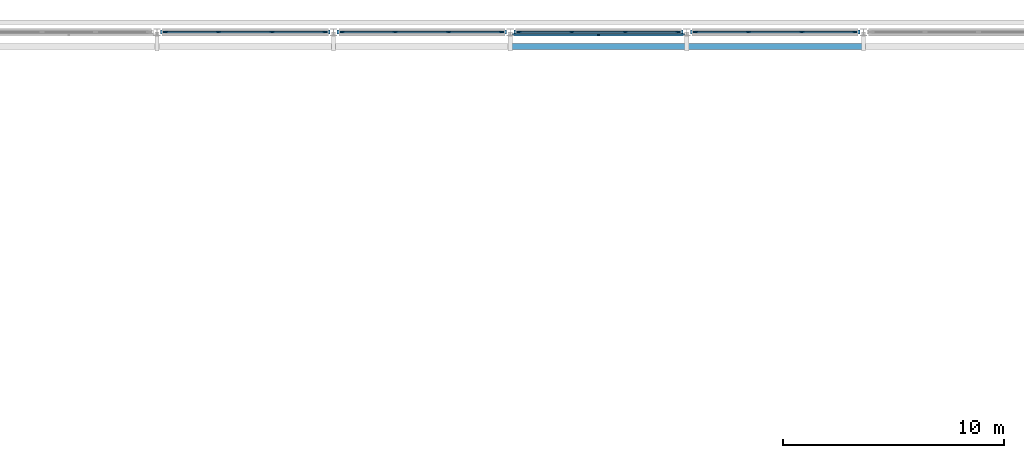
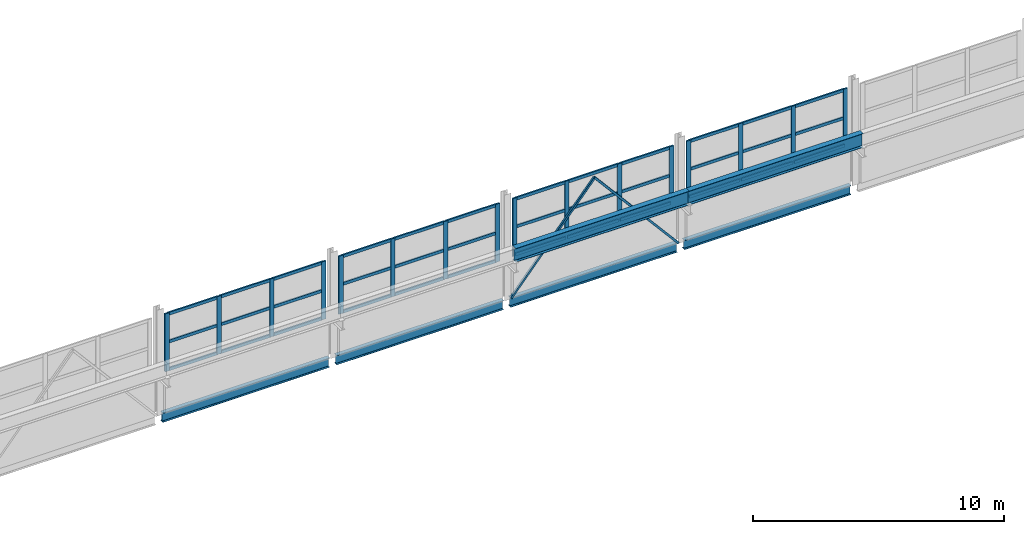
# One storey, part 66 of 106: 54 members, 6 beams, 4 elements without a shape of their own.
"""IFC4 building model written with IfcOpenShell, lengths in metres."""

import ifcopenshell
import ifcopenshell.guid

model = None  # the IFC model being written
_history = None  # IfcOwnerHistory: only IFC2X3 demands one
_inside = {}  # id of a spatial element -> (the spatial element, [elements in it])
_under = {}  # id of a project, library or spatial element -> (it, [spatial elements below it])
_declared = {}  # id of a project -> (the project, [libraries it declares])
_typed = {}  # id of a type object -> (the type object, [elements of that type])
_made_of = {}  # id of a material, layer set ... -> (it, [elements and type objects made of it])


def new_model(schema):
    """Start an empty IFC model of exactly this schema.

    Asked for "IFC4X3", IfcOpenShell would pick the latest addendum, in which some entities
    have other attributes; the version numbers below select the first issue.
    IFC2X3 requires an IfcOwnerHistory on every rooted entity: one is made here for all.
    """
    global model, _history
    if schema == "IFC4X3":
        model = ifcopenshell.file(schema_version=(4, 3, 0, 0))
    else:
        model = ifcopenshell.file(schema=schema)
    _inside.clear()
    _under.clear()
    _declared.clear()
    _typed.clear()
    _made_of.clear()
    _history = None
    if model.schema == "IFC2X3":
        org = make("IfcOrganization", Name="unknown")
        user = make(
            "IfcPersonAndOrganization",
            ThePerson=make("IfcPerson", FamilyName="unknown"),
            TheOrganization=org,
        )
        app = make(
            "IfcApplication",
            ApplicationDeveloper=org,
            Version="unknown",
            ApplicationFullName="unknown",
            ApplicationIdentifier="unknown",
        )
        _history = make(
            "IfcOwnerHistory",
            OwningUser=user,
            OwningApplication=app,
            ChangeAction="ADDED",
            CreationDate=0,
        )
    return model


def make(cls, **values):
    """One entity of the class cls with the attributes given. An attribute that is None is left unset."""
    return model.create_entity(
        cls, **{name: value for name, value in values.items() if value is not None}
    )


def rooted(cls, **values):
    """An entity with a GlobalId (a new one), such as an element, a storey or a relation."""
    return make(cls, GlobalId=ifcopenshell.guid.new(), OwnerHistory=_history, **values)


def si_unit(unit_type, name, prefix=None):
    """IfcSIUnit, for example si_unit("LENGTHUNIT", "METRE", prefix="MILLI")."""
    return make("IfcSIUnit", UnitType=unit_type, Prefix=prefix, Name=name)


def assignment(units):
    """IfcUnitAssignment: the units of a project."""
    return None if units is None else make("IfcUnitAssignment", Units=units)


def point(xyz):
    """IfcCartesianPoint."""
    return None if xyz is None else make("IfcCartesianPoint", Coordinates=xyz)


def direction(xyz):
    """IfcDirection."""
    return None if xyz is None else make("IfcDirection", DirectionRatios=xyz)


def frame(location, z_axis=None, x_axis=None):
    """IfcAxis2Placement3D, a coordinate frame: its origin and axes. An axis left out is left unset."""
    return make(
        "IfcAxis2Placement3D",
        Location=point(location),
        Axis=direction(z_axis),
        RefDirection=direction(x_axis),
    )


def frame_2d(location, x_axis=None):
    """IfcAxis2Placement2D, a coordinate frame in the plane: its origin and x axis."""
    return make(
        "IfcAxis2Placement2D", Location=point(location), RefDirection=direction(x_axis)
    )


def origin():
    """The frame at (0, 0, 0) with its axes left unset."""
    return frame((0.0, 0.0, 0.0))


def origin_2d():
    """The frame at (0, 0) in the plane with its x axis left unset."""
    return frame_2d((0.0, 0.0))


def place(relative_to, where):
    """IfcLocalPlacement: puts the frame where relative to a parent placement (None: the world)."""
    return make(
        "IfcLocalPlacement", PlacementRelTo=relative_to, RelativePlacement=where
    )


def context(
    kind, dimensions, precision=None, world=None, true_north=None, identifier=None
):
    """IfcGeometricRepresentationContext, for example the 3D "Model" context."""
    return make(
        "IfcGeometricRepresentationContext",
        ContextIdentifier=identifier,
        ContextType=kind,
        CoordinateSpaceDimension=dimensions,
        Precision=precision,
        WorldCoordinateSystem=world,
        TrueNorth=true_north,
    )


def subcontext(parent, identifier, kind, view, scale=None):
    """IfcGeometricRepresentationSubContext, for example "Body" below "Model"."""
    return make(
        "IfcGeometricRepresentationSubContext",
        ContextIdentifier=identifier,
        ContextType=kind,
        ParentContext=parent,
        TargetScale=scale,
        TargetView=view,
    )


def project(units=None, contexts=None):
    """IfcProject with its units and contexts."""
    return rooted(
        "IfcProject",
        Name="project",
        RepresentationContexts=contexts,
        UnitsInContext=assignment(units),
    )


def spatial(cls, under=None, at=None, **own):
    """A site, building, storey or space (cls), placed at a placement, below another one or the project."""
    s = rooted(cls, ObjectPlacement=at, **own)
    if under is not None:
        _under.setdefault(under.id(), (under, []))[1].append(s)
    return s


def profile(cls, at=None, kind="AREA", **sizes):
    """A parametric profile (cls). Its sizes go by their IFC names, for example OverallWidth=200.0."""
    return make(cls, ProfileType=kind, Position=at, **sizes)


def rectangle(**sizes):
    """IfcRectangleProfileDef."""
    return profile("IfcRectangleProfileDef", **sizes)


def hollow_rectangle(**sizes):
    """IfcRectangleHollowProfileDef."""
    return profile("IfcRectangleHollowProfileDef", **sizes)


def i_section(**sizes):
    """IfcIShapeProfileDef."""
    return profile("IfcIShapeProfileDef", **sizes)


def extrude(swept, where, along, depth):
    """IfcExtrudedAreaSolid: the profile swept, set in the frame where, extruded along a direction by depth."""
    return make(
        "IfcExtrudedAreaSolid",
        SweptArea=swept,
        Position=where,
        ExtrudedDirection=direction(along),
        Depth=depth,
    )


def shape(context_of_items, identifier, shape_type, items):
    """IfcShapeRepresentation: the items that make up one representation, for example the "Body"."""
    return make(
        "IfcShapeRepresentation",
        ContextOfItems=context_of_items,
        RepresentationIdentifier=identifier,
        RepresentationType=shape_type,
        Items=items,
    )


def material(Name=None, Category=None):
    """IfcMaterial."""
    return make("IfcMaterial", Name=Name, Category=Category)


def layer(
    of_material, thickness, ventilated=None, Name=None, Category=None, Priority=None
):
    """IfcMaterialLayer: one layer of a wall or slab, of a material (None: an air gap)."""
    return make(
        "IfcMaterialLayer",
        Material=of_material,
        LayerThickness=thickness,
        IsVentilated=ventilated,
        Name=Name,
        Category=Category,
        Priority=Priority,
    )


def layer_set(layers, Name=None):
    """IfcMaterialLayerSet."""
    return make("IfcMaterialLayerSet", MaterialLayers=layers, LayerSetName=Name)


def material_profile(
    of_material, cross_section, Name=None, Category=None, Priority=None
):
    """IfcMaterialProfile: a cross section and its material."""
    return make(
        "IfcMaterialProfile",
        Name=Name,
        Material=of_material,
        Profile=cross_section,
        Priority=Priority,
        Category=Category,
    )


def profile_set(profiles, Name=None, composite=None):
    """IfcMaterialProfileSet."""
    return make(
        "IfcMaterialProfileSet",
        Name=Name,
        MaterialProfiles=profiles,
        CompositeProfile=composite,
    )


def made_of(thing, what):
    """Note that an element or type object is made of a material, layer set ...; save() writes the relation."""
    if what is not None:
        _made_of.setdefault(what.id(), (what, []))[1].append(thing)
    return thing


def type_object(cls, material=None, **own):
    """A type object (cls), such as IfcWallType, which elements share."""
    return made_of(rooted(cls, **own), material)


def element(
    cls,
    number,
    at=None,
    inside=None,
    cuts=None,
    type_object=None,
    material=None,
    context=None,
    identifier="Body",
    shape_type=None,
    held_by="IfcProductDefinitionShape",
    body=None,
    shapes=None,
    **own,
):
    """One element of the class cls, such as IfcWall. Its Tag is "e" and its number.

    at: its placement. inside: the storey or other place that contains it. cuts: it is an
    opening in that element (IfcRelVoidsElement). A single representation is given by context,
    identifier, shape_type and body (its items); several are given by shapes. held_by: the class
    of the entity that holds the representations. save() writes the other relations.
    """
    e = rooted(cls, Tag="e%d" % number, ObjectPlacement=at, **own)
    if body is not None:
        shapes = [shape(context, identifier, shape_type, body)]
    if shapes is not None:
        e.Representation = make(held_by, Representations=shapes)
    if inside is not None:
        _inside.setdefault(inside.id(), (inside, []))[1].append(e)
    if cuts is not None:
        rooted(
            "IfcRelVoidsElement", RelatingBuildingElement=cuts, RelatedOpeningElement=e
        )
    if type_object is not None:
        _typed.setdefault(type_object.id(), (type_object, []))[1].append(e)
    return made_of(e, material)


def aggregate(whole, parts):
    """IfcRelAggregates: a whole, such as a stair, and the parts it consists of."""
    return rooted("IfcRelAggregates", RelatingObject=whole, RelatedObjects=parts)


def save(model, path):
    """Write the relations noted so far, then the file.

    IfcRelAggregates (storeys below a building ...), IfcRelContainedInSpatialStructure (elements
    in a storey), IfcRelDefinesByType, IfcRelAssociatesMaterial and IfcRelDeclares: one each for
    every whole, place, type object, material and project.
    """
    for whole, parts in _under.values():
        aggregate(whole, parts)
    for where, things in _inside.values():
        rooted(
            "IfcRelContainedInSpatialStructure",
            RelatedElements=things,
            RelatingStructure=where,
        )
    for kind, things in _typed.values():
        rooted("IfcRelDefinesByType", RelatedObjects=things, RelatingType=kind)
    for what, things in _made_of.values():
        rooted("IfcRelAssociatesMaterial", RelatedObjects=things, RelatingMaterial=what)
    for by, libraries in _declared.values():
        rooted("IfcRelDeclares", RelatingContext=by, RelatedDefinitions=libraries)
    model.write(path)


model = new_model("IFC4")

# Units and contexts
model_context = context("Model", 3, precision=1e-05, world=origin(), true_north=direction((0.0, 1.0)))
body_context = subcontext(model_context, "Body", "Model", "MODEL_VIEW")
ifc_project = project(units=[si_unit("LENGTHUNIT", "METRE"), si_unit("AREAUNIT", "SQUARE_METRE"), si_unit("VOLUMEUNIT", "CUBIC_METRE"), si_unit("PLANEANGLEUNIT", "RADIAN"), si_unit("MASSUNIT", "GRAM", prefix="KILO")], contexts=[model_context])

# Site, building, storey
site_placement = place(None, origin())
site = spatial("IfcSite", under=ifc_project, at=site_placement, CompositionType="ELEMENT")
building_placement = place(site_placement, origin())
building = spatial("IfcBuilding", under=site, at=building_placement, Name="Jelvoka-Kovrelna Polytechnic", CompositionType="ELEMENT")
storey_placement = place(building_placement, frame((0.0, 0.0, 4.800048828125)))
storey = spatial("IfcBuildingStorey", under=building, at=storey_placement, Name="L02", CompositionType="ELEMENT", Elevation=4.800048828125)

# Beams
ifc_material_1 = material(Name="Structural steel S355JR", Category="steel")
ifc_material_profile_1 = material_profile(ifc_material_1, i_section(OverallWidth=0.2529296875, OverallDepth=0.677978515625, WebThickness=0.01171875, FlangeThickness=0.01611328125, FilletRadius=0.01513671875, at=origin_2d()), Name="686x254x125 UB")
ifc_profile_set_1 = profile_set([ifc_material_profile_1], Name="Structural steel S355JR")
beam_type_1 = type_object("IfcBeamType", Name="CraneGirder_UB686", PredefinedType="USERDEFINED", material=ifc_profile_set_1)
for number, where, z_axis, x_axis, name in (
    (1, (152.0, 119.35009765625, 2.538818359375), (1.0, 0.0, 0.0), (0.0, 1.0, 0.0), "L02 workshop crane runway girder 018"),
    (2, (160.0, 119.35009765625, 2.538818359375), (1.0, 0.0, 0.0), (0.0, 1.0, 0.0), "L02 workshop crane runway girder 020"),
):
    element("IfcBeam", number, at=place(storey_placement, frame(where, z_axis=z_axis, x_axis=x_axis)), inside=storey, type_object=beam_type_1, Name=name, ObjectType="CRANE RUNWAY", PredefinedType="USERDEFINED", context=body_context, shape_type="SweptSolid", body=[
        extrude(i_section(OverallWidth=0.2529296875, OverallDepth=0.677978515625, WebThickness=0.01171875, FlangeThickness=0.01611328125, FilletRadius=0.01513671875, at=origin_2d()), origin(), (0.0, 0.0, 1.0), 8.0),
    ])
ifc_material_2 = material(Name="Structural steel S355JR", Category="steel")
ifc_material_profile_2 = material_profile(ifc_material_2, i_section(OverallWidth=0.18994140625, OverallDepth=0.453369140625, WebThickness=0.008544921875, FlangeThickness=0.0126953125, FilletRadius=0.01025390625, at=origin_2d()), Name="457x191x67 UB")
ifc_profile_set_2 = profile_set([ifc_material_profile_2], Name="Structural steel S355JR")
beam_type_2 = type_object("IfcBeamType", Name="Girder_Steel_UB457", PredefinedType="BEAM", material=ifc_profile_set_2)
for number, where, z_axis, x_axis, name in (
    (3, (136.164306640625, 120.0, -0.226806640625), (1.0, 0.0, 0.0), (0.0, 1.0, 0.0), "L02 beam 0035"),
    (4, (144.164306640625, 120.0, -0.226806640625), (1.0, 0.0, 0.0), (0.0, 1.0, 0.0), "L02 beam 0040"),
    (5, (152.164306640625, 120.0, -0.226806640625), (1.0, 0.0, 0.0), (0.0, 1.0, 0.0), "L02 beam 0045"),
    (6, (160.164306640625, 120.0, -0.226806640625), (1.0, 0.0, 0.0), (0.0, 1.0, 0.0), "L02 beam 0050"),
):
    element("IfcBeam", number, at=place(storey_placement, frame(where, z_axis=z_axis, x_axis=x_axis)), inside=storey, type_object=beam_type_2, Name=name, PredefinedType="BEAM", context=body_context, shape_type="SweptSolid", body=[
        extrude(i_section(OverallWidth=0.18994140625, OverallDepth=0.453369140625, WebThickness=0.008544921875, FlangeThickness=0.0126953125, FilletRadius=0.01025390625, at=origin_2d()), origin(), (0.0, 0.0, 1.0), 7.67138671875),
    ])

# Members
ifc_material_3 = material(Name="Structural steel S355J2H", Category="steel")
ifc_material_profile_3 = material_profile(ifc_material_3, hollow_rectangle(XDim=0.10009765625, YDim=0.10009765625, WallThickness=0.00634765625, InnerFilletRadius=0.00634765625, OuterFilletRadius=0.009521484375, at=origin_2d()), Name="100x100x6.3 SHS")
ifc_profile_set_3 = profile_set([ifc_material_profile_3], Name="Structural steel S355J2H")
member_type_1 = type_object("IfcMemberType", Name="Member_Brace_SHS100", PredefinedType="BRACE", material=ifc_profile_set_3)
for number, where, z_axis, x_axis, name in (
    (7, (152.14990234375, 119.8798828125, 0.02001953125), (0.647606697765, 0.0, 0.761974779773), (0.0, 1.0, 0.0), "L02 workshop vertical wall K-brace 0241"),
    (8, (159.85009765625, 119.8798828125, 0.02001953125), (-0.647606697765, 0.0, 0.761974779773), (0.0, -1.0, 0.0), "L02 workshop vertical wall K-brace 0242"),
):
    element("IfcMember", number, at=place(storey_placement, frame(where, z_axis=z_axis, x_axis=x_axis)), inside=storey, type_object=member_type_1, Name=name, PredefinedType="BRACE", context=body_context, shape_type="SweptSolid", body=[
        extrude(hollow_rectangle(XDim=0.10009765625, YDim=0.10009765625, WallThickness=0.00634765625, InnerFilletRadius=0.00634765625, OuterFilletRadius=0.009521484375, at=origin_2d()), origin(), (0.0, 0.0, 1.0), 5.945068359375),
    ])

# Curtain wall, members
ifc_material_4 = material(Name="Anodised aluminium 6063-T6", Category="aluminium")
ifc_layer = layer(ifc_material_4, 0.199951171875)
ifc_layer_set = layer_set([ifc_layer], Name="Anodised aluminium 6063-T6")
curtain_wall_type = type_object("IfcCurtainWallType", Name="CW_Clerestory", PredefinedType="NOTDEFINED", material=ifc_layer_set)
curtain_wall_1_placement = place(storey_placement, origin())
curtain_wall_1 = element("IfcCurtainWall", 9, at=curtain_wall_1_placement, inside=storey, type_object=curtain_wall_type, Name="L02 glazed curtain wall 175", PredefinedType="NOTDEFINED")
ifc_material_5 = material(Name="Anodised aluminium 6063-T6", Category="aluminium")
ifc_material_profile_4 = material_profile(ifc_material_5, rectangle(XDim=0.070068359375, YDim=0.199951171875, at=origin_2d()), Name="ALU 70x200")
ifc_profile_set_4 = profile_set([ifc_material_profile_4], Name="Anodised aluminium 6063-T6")
member_type_2 = type_object("IfcMemberType", Name="Mullion_M-03", PredefinedType="MULLION", material=ifc_profile_set_4)
member_1_placement = place(storey_placement, frame((136.39501953125, 120.0, 1.925048828125), z_axis=(0.0, 0.0, 1.0), x_axis=(0.0, 1.0, 0.0)))
member_1 = element("IfcMember", 10, at=member_1_placement, type_object=member_type_2, Name="CW-03 mullion 1", PredefinedType="MULLION", context=body_context, shape_type="SweptSolid", body=[
    extrude(rectangle(XDim=0.070068359375, YDim=0.199951171875, at=origin_2d()), origin(), (0.0, 0.0, 1.0), 2.820068359375),
])
member_2_placement = place(storey_placement, frame((138.78662109375, 120.0, 1.925048828125), z_axis=(0.0, 0.0, 1.0), x_axis=(0.0, 1.0, 0.0)))
member_2 = element("IfcMember", 11, at=member_2_placement, type_object=member_type_2, Name="CW-03 mullion 2", PredefinedType="MULLION", context=body_context, shape_type="SweptSolid", body=[
    extrude(rectangle(XDim=0.070068359375, YDim=0.199951171875, at=origin_2d()), origin(), (0.0, 0.0, 1.0), 2.820068359375),
])
member_3_placement = place(storey_placement, frame((141.21337890625, 120.0, 1.925048828125), z_axis=(0.0, 0.0, 1.0), x_axis=(0.0, 1.0, 0.0)))
member_3 = element("IfcMember", 12, at=member_3_placement, type_object=member_type_2, Name="CW-03 mullion 3", PredefinedType="MULLION", context=body_context, shape_type="SweptSolid", body=[
    extrude(rectangle(XDim=0.070068359375, YDim=0.199951171875, at=origin_2d()), origin(), (0.0, 0.0, 1.0), 2.820068359375),
])
member_4_placement = place(storey_placement, frame((143.60498046875, 120.0, 1.925048828125), z_axis=(0.0, 0.0, 1.0), x_axis=(0.0, 1.0, 0.0)))
member_4 = element("IfcMember", 13, at=member_4_placement, type_object=member_type_2, Name="CW-03 mullion 4", PredefinedType="MULLION", context=body_context, shape_type="SweptSolid", body=[
    extrude(rectangle(XDim=0.070068359375, YDim=0.199951171875, at=origin_2d()), origin(), (0.0, 0.0, 1.0), 2.820068359375),
])

curtain_wall_2_placement = place(storey_placement, origin())
curtain_wall_2 = element("IfcCurtainWall", 14, at=curtain_wall_2_placement, inside=storey, type_object=curtain_wall_type, Name="L02 glazed curtain wall 176", PredefinedType="NOTDEFINED")
member_5_placement = place(storey_placement, frame((144.39501953125, 120.0, 1.925048828125), z_axis=(0.0, 0.0, 1.0), x_axis=(0.0, 1.0, 0.0)))
member_5 = element("IfcMember", 15, at=member_5_placement, type_object=member_type_2, Name="CW-03 mullion 1", PredefinedType="MULLION", context=body_context, shape_type="SweptSolid", body=[
    extrude(rectangle(XDim=0.070068359375, YDim=0.199951171875, at=origin_2d()), origin(), (0.0, 0.0, 1.0), 2.820068359375),
])
member_6_placement = place(storey_placement, frame((146.78662109375, 120.0, 1.925048828125), z_axis=(0.0, 0.0, 1.0), x_axis=(0.0, 1.0, 0.0)))
member_6 = element("IfcMember", 16, at=member_6_placement, type_object=member_type_2, Name="CW-03 mullion 2", PredefinedType="MULLION", context=body_context, shape_type="SweptSolid", body=[
    extrude(rectangle(XDim=0.070068359375, YDim=0.199951171875, at=origin_2d()), origin(), (0.0, 0.0, 1.0), 2.820068359375),
])
member_7_placement = place(storey_placement, frame((149.21337890625, 120.0, 1.925048828125), z_axis=(0.0, 0.0, 1.0), x_axis=(0.0, 1.0, 0.0)))
member_7 = element("IfcMember", 17, at=member_7_placement, type_object=member_type_2, Name="CW-03 mullion 3", PredefinedType="MULLION", context=body_context, shape_type="SweptSolid", body=[
    extrude(rectangle(XDim=0.070068359375, YDim=0.199951171875, at=origin_2d()), origin(), (0.0, 0.0, 1.0), 2.820068359375),
])
member_8_placement = place(storey_placement, frame((151.60498046875, 120.0, 1.925048828125), z_axis=(0.0, 0.0, 1.0), x_axis=(0.0, 1.0, 0.0)))
member_8 = element("IfcMember", 18, at=member_8_placement, type_object=member_type_2, Name="CW-03 mullion 4", PredefinedType="MULLION", context=body_context, shape_type="SweptSolid", body=[
    extrude(rectangle(XDim=0.070068359375, YDim=0.199951171875, at=origin_2d()), origin(), (0.0, 0.0, 1.0), 2.820068359375),
])

curtain_wall_3_placement = place(storey_placement, origin())
curtain_wall_3 = element("IfcCurtainWall", 19, at=curtain_wall_3_placement, inside=storey, type_object=curtain_wall_type, Name="L02 glazed curtain wall 177", PredefinedType="NOTDEFINED")
member_9_placement = place(storey_placement, frame((152.39501953125, 120.0, 1.925048828125), z_axis=(0.0, 0.0, 1.0), x_axis=(0.0, 1.0, 0.0)))
member_9 = element("IfcMember", 20, at=member_9_placement, type_object=member_type_2, Name="CW-03 mullion 1", PredefinedType="MULLION", context=body_context, shape_type="SweptSolid", body=[
    extrude(rectangle(XDim=0.070068359375, YDim=0.199951171875, at=origin_2d()), origin(), (0.0, 0.0, 1.0), 2.820068359375),
])
member_10_placement = place(storey_placement, frame((154.78662109375, 120.0, 1.925048828125), z_axis=(0.0, 0.0, 1.0), x_axis=(0.0, 1.0, 0.0)))
member_10 = element("IfcMember", 21, at=member_10_placement, type_object=member_type_2, Name="CW-03 mullion 2", PredefinedType="MULLION", context=body_context, shape_type="SweptSolid", body=[
    extrude(rectangle(XDim=0.070068359375, YDim=0.199951171875, at=origin_2d()), origin(), (0.0, 0.0, 1.0), 2.820068359375),
])
member_11_placement = place(storey_placement, frame((157.21337890625, 120.0, 1.925048828125), z_axis=(0.0, 0.0, 1.0), x_axis=(0.0, 1.0, 0.0)))
member_11 = element("IfcMember", 22, at=member_11_placement, type_object=member_type_2, Name="CW-03 mullion 3", PredefinedType="MULLION", context=body_context, shape_type="SweptSolid", body=[
    extrude(rectangle(XDim=0.070068359375, YDim=0.199951171875, at=origin_2d()), origin(), (0.0, 0.0, 1.0), 2.820068359375),
])
member_12_placement = place(storey_placement, frame((159.60498046875, 120.0, 1.925048828125), z_axis=(0.0, 0.0, 1.0), x_axis=(0.0, 1.0, 0.0)))
member_12 = element("IfcMember", 23, at=member_12_placement, type_object=member_type_2, Name="CW-03 mullion 4", PredefinedType="MULLION", context=body_context, shape_type="SweptSolid", body=[
    extrude(rectangle(XDim=0.070068359375, YDim=0.199951171875, at=origin_2d()), origin(), (0.0, 0.0, 1.0), 2.820068359375),
])

curtain_wall_4_placement = place(storey_placement, origin())
curtain_wall_4 = element("IfcCurtainWall", 24, at=curtain_wall_4_placement, inside=storey, type_object=curtain_wall_type, Name="L02 glazed curtain wall 178", PredefinedType="NOTDEFINED")
member_13_placement = place(storey_placement, frame((160.39501953125, 120.0, 1.925048828125), z_axis=(0.0, 0.0, 1.0), x_axis=(0.0, 1.0, 0.0)))
member_13 = element("IfcMember", 25, at=member_13_placement, type_object=member_type_2, Name="CW-03 mullion 1", PredefinedType="MULLION", context=body_context, shape_type="SweptSolid", body=[
    extrude(rectangle(XDim=0.070068359375, YDim=0.199951171875, at=origin_2d()), origin(), (0.0, 0.0, 1.0), 2.820068359375),
])
member_14_placement = place(storey_placement, frame((162.78662109375, 120.0, 1.925048828125), z_axis=(0.0, 0.0, 1.0), x_axis=(0.0, 1.0, 0.0)))
member_14 = element("IfcMember", 26, at=member_14_placement, type_object=member_type_2, Name="CW-03 mullion 2", PredefinedType="MULLION", context=body_context, shape_type="SweptSolid", body=[
    extrude(rectangle(XDim=0.070068359375, YDim=0.199951171875, at=origin_2d()), origin(), (0.0, 0.0, 1.0), 2.820068359375),
])
member_15_placement = place(storey_placement, frame((165.21337890625, 120.0, 1.925048828125), z_axis=(0.0, 0.0, 1.0), x_axis=(0.0, 1.0, 0.0)))
member_15 = element("IfcMember", 27, at=member_15_placement, type_object=member_type_2, Name="CW-03 mullion 3", PredefinedType="MULLION", context=body_context, shape_type="SweptSolid", body=[
    extrude(rectangle(XDim=0.070068359375, YDim=0.199951171875, at=origin_2d()), origin(), (0.0, 0.0, 1.0), 2.820068359375),
])
member_16_placement = place(storey_placement, frame((167.60498046875, 120.0, 1.925048828125), z_axis=(0.0, 0.0, 1.0), x_axis=(0.0, 1.0, 0.0)))
member_16 = element("IfcMember", 28, at=member_16_placement, type_object=member_type_2, Name="CW-03 mullion 4", PredefinedType="MULLION", context=body_context, shape_type="SweptSolid", body=[
    extrude(rectangle(XDim=0.070068359375, YDim=0.199951171875, at=origin_2d()), origin(), (0.0, 0.0, 1.0), 2.820068359375),
])

# Member
ifc_material_6 = material(Name="Anodised aluminium 6063-T6", Category="aluminium")
ifc_material_profile_5 = material_profile(ifc_material_6, rectangle(XDim=0.070068359375, YDim=0.14501953125, at=origin_2d()), Name="ALU 70x145")
ifc_profile_set_5 = profile_set([ifc_material_profile_5], Name="Anodised aluminium 6063-T6")
member_type_3 = type_object("IfcMemberType", Name="Transom_T-03", PredefinedType="USERDEFINED", material=ifc_profile_set_5)
member_17_placement = place(storey_placement, frame((136.429931640625, 120.0, 1.98486328125), z_axis=(1.0, 0.0, 0.0), x_axis=(0.0, 1.0, 0.0)))
member_17 = element("IfcMember", 29, at=member_17_placement, type_object=member_type_3, Name="CW-03 transom 1.1", ObjectType="TRANSOM", PredefinedType="USERDEFINED", context=body_context, shape_type="SweptSolid", body=[
    extrude(rectangle(XDim=0.070068359375, YDim=0.14501953125, at=origin_2d()), origin(), (0.0, 0.0, 1.0), 2.32177734375),
])

member_18_placement = place(storey_placement, frame((136.429931640625, 120.0, 3.3349609375), z_axis=(1.0, 0.0, 0.0), x_axis=(0.0, 1.0, 0.0)))
member_18 = element("IfcMember", 30, at=member_18_placement, type_object=member_type_3, Name="CW-03 transom 1.2", ObjectType="TRANSOM", PredefinedType="USERDEFINED", context=body_context, shape_type="SweptSolid", body=[
    extrude(rectangle(XDim=0.070068359375, YDim=0.14501953125, at=origin_2d()), origin(), (0.0, 0.0, 1.0), 2.32177734375),
])

member_19_placement = place(storey_placement, frame((136.429931640625, 120.0, 4.68505859375), z_axis=(1.0, 0.0, 0.0), x_axis=(0.0, 1.0, 0.0)))
member_19 = element("IfcMember", 31, at=member_19_placement, type_object=member_type_3, Name="CW-03 transom 1.3", ObjectType="TRANSOM", PredefinedType="USERDEFINED", context=body_context, shape_type="SweptSolid", body=[
    extrude(rectangle(XDim=0.070068359375, YDim=0.14501953125, at=origin_2d()), origin(), (0.0, 0.0, 1.0), 2.32177734375),
])

member_20_placement = place(storey_placement, frame((138.82177734375, 120.0, 1.98486328125), z_axis=(1.0, 0.0, 0.0), x_axis=(0.0, 1.0, 0.0)))
member_20 = element("IfcMember", 32, at=member_20_placement, type_object=member_type_3, Name="CW-03 transom 2.1", ObjectType="TRANSOM", PredefinedType="USERDEFINED", context=body_context, shape_type="SweptSolid", body=[
    extrude(rectangle(XDim=0.070068359375, YDim=0.14501953125, at=origin_2d()), origin(), (0.0, 0.0, 1.0), 2.3564453125),
])

member_21_placement = place(storey_placement, frame((138.82177734375, 120.0, 3.3349609375), z_axis=(1.0, 0.0, 0.0), x_axis=(0.0, 1.0, 0.0)))
member_21 = element("IfcMember", 33, at=member_21_placement, type_object=member_type_3, Name="CW-03 transom 2.2", ObjectType="TRANSOM", PredefinedType="USERDEFINED", context=body_context, shape_type="SweptSolid", body=[
    extrude(rectangle(XDim=0.070068359375, YDim=0.14501953125, at=origin_2d()), origin(), (0.0, 0.0, 1.0), 2.3564453125),
])

member_22_placement = place(storey_placement, frame((138.82177734375, 120.0, 4.68505859375), z_axis=(1.0, 0.0, 0.0), x_axis=(0.0, 1.0, 0.0)))
member_22 = element("IfcMember", 34, at=member_22_placement, type_object=member_type_3, Name="CW-03 transom 2.3", ObjectType="TRANSOM", PredefinedType="USERDEFINED", context=body_context, shape_type="SweptSolid", body=[
    extrude(rectangle(XDim=0.070068359375, YDim=0.14501953125, at=origin_2d()), origin(), (0.0, 0.0, 1.0), 2.3564453125),
])

member_23_placement = place(storey_placement, frame((141.248291015625, 120.0, 1.98486328125), z_axis=(1.0, 0.0, 0.0), x_axis=(0.0, 1.0, 0.0)))
member_23 = element("IfcMember", 35, at=member_23_placement, type_object=member_type_3, Name="CW-03 transom 3.1", ObjectType="TRANSOM", PredefinedType="USERDEFINED", context=body_context, shape_type="SweptSolid", body=[
    extrude(rectangle(XDim=0.070068359375, YDim=0.14501953125, at=origin_2d()), origin(), (0.0, 0.0, 1.0), 2.32177734375),
])

member_24_placement = place(storey_placement, frame((141.248291015625, 120.0, 3.3349609375), z_axis=(1.0, 0.0, 0.0), x_axis=(0.0, 1.0, 0.0)))
member_24 = element("IfcMember", 36, at=member_24_placement, type_object=member_type_3, Name="CW-03 transom 3.2", ObjectType="TRANSOM", PredefinedType="USERDEFINED", context=body_context, shape_type="SweptSolid", body=[
    extrude(rectangle(XDim=0.070068359375, YDim=0.14501953125, at=origin_2d()), origin(), (0.0, 0.0, 1.0), 2.32177734375),
])

member_25_placement = place(storey_placement, frame((141.248291015625, 120.0, 4.68505859375), z_axis=(1.0, 0.0, 0.0), x_axis=(0.0, 1.0, 0.0)))
member_25 = element("IfcMember", 37, at=member_25_placement, type_object=member_type_3, Name="CW-03 transom 3.3", ObjectType="TRANSOM", PredefinedType="USERDEFINED", context=body_context, shape_type="SweptSolid", body=[
    extrude(rectangle(XDim=0.070068359375, YDim=0.14501953125, at=origin_2d()), origin(), (0.0, 0.0, 1.0), 2.32177734375),
])

aggregate(curtain_wall_1, [member_1, member_2, member_3, member_4, member_17, member_18, member_19, member_20, member_21, member_22, member_23, member_24, member_25])

member_26_placement = place(storey_placement, frame((144.429931640625, 120.0, 1.98486328125), z_axis=(1.0, 0.0, 0.0), x_axis=(0.0, 1.0, 0.0)))
member_26 = element("IfcMember", 38, at=member_26_placement, type_object=member_type_3, Name="CW-03 transom 1.1", ObjectType="TRANSOM", PredefinedType="USERDEFINED", context=body_context, shape_type="SweptSolid", body=[
    extrude(rectangle(XDim=0.070068359375, YDim=0.14501953125, at=origin_2d()), origin(), (0.0, 0.0, 1.0), 2.32177734375),
])

member_27_placement = place(storey_placement, frame((144.429931640625, 120.0, 3.3349609375), z_axis=(1.0, 0.0, 0.0), x_axis=(0.0, 1.0, 0.0)))
member_27 = element("IfcMember", 39, at=member_27_placement, type_object=member_type_3, Name="CW-03 transom 1.2", ObjectType="TRANSOM", PredefinedType="USERDEFINED", context=body_context, shape_type="SweptSolid", body=[
    extrude(rectangle(XDim=0.070068359375, YDim=0.14501953125, at=origin_2d()), origin(), (0.0, 0.0, 1.0), 2.32177734375),
])

member_28_placement = place(storey_placement, frame((144.429931640625, 120.0, 4.68505859375), z_axis=(1.0, 0.0, 0.0), x_axis=(0.0, 1.0, 0.0)))
member_28 = element("IfcMember", 40, at=member_28_placement, type_object=member_type_3, Name="CW-03 transom 1.3", ObjectType="TRANSOM", PredefinedType="USERDEFINED", context=body_context, shape_type="SweptSolid", body=[
    extrude(rectangle(XDim=0.070068359375, YDim=0.14501953125, at=origin_2d()), origin(), (0.0, 0.0, 1.0), 2.32177734375),
])

member_29_placement = place(storey_placement, frame((146.82177734375, 120.0, 1.98486328125), z_axis=(1.0, 0.0, 0.0), x_axis=(0.0, 1.0, 0.0)))
member_29 = element("IfcMember", 41, at=member_29_placement, type_object=member_type_3, Name="CW-03 transom 2.1", ObjectType="TRANSOM", PredefinedType="USERDEFINED", context=body_context, shape_type="SweptSolid", body=[
    extrude(rectangle(XDim=0.070068359375, YDim=0.14501953125, at=origin_2d()), origin(), (0.0, 0.0, 1.0), 2.3564453125),
])

member_30_placement = place(storey_placement, frame((146.82177734375, 120.0, 3.3349609375), z_axis=(1.0, 0.0, 0.0), x_axis=(0.0, 1.0, 0.0)))
member_30 = element("IfcMember", 42, at=member_30_placement, type_object=member_type_3, Name="CW-03 transom 2.2", ObjectType="TRANSOM", PredefinedType="USERDEFINED", context=body_context, shape_type="SweptSolid", body=[
    extrude(rectangle(XDim=0.070068359375, YDim=0.14501953125, at=origin_2d()), origin(), (0.0, 0.0, 1.0), 2.3564453125),
])

member_31_placement = place(storey_placement, frame((146.82177734375, 120.0, 4.68505859375), z_axis=(1.0, 0.0, 0.0), x_axis=(0.0, 1.0, 0.0)))
member_31 = element("IfcMember", 43, at=member_31_placement, type_object=member_type_3, Name="CW-03 transom 2.3", ObjectType="TRANSOM", PredefinedType="USERDEFINED", context=body_context, shape_type="SweptSolid", body=[
    extrude(rectangle(XDim=0.070068359375, YDim=0.14501953125, at=origin_2d()), origin(), (0.0, 0.0, 1.0), 2.3564453125),
])

member_32_placement = place(storey_placement, frame((149.248291015625, 120.0, 1.98486328125), z_axis=(1.0, 0.0, 0.0), x_axis=(0.0, 1.0, 0.0)))
member_32 = element("IfcMember", 44, at=member_32_placement, type_object=member_type_3, Name="CW-03 transom 3.1", ObjectType="TRANSOM", PredefinedType="USERDEFINED", context=body_context, shape_type="SweptSolid", body=[
    extrude(rectangle(XDim=0.070068359375, YDim=0.14501953125, at=origin_2d()), origin(), (0.0, 0.0, 1.0), 2.32177734375),
])

member_33_placement = place(storey_placement, frame((149.248291015625, 120.0, 3.3349609375), z_axis=(1.0, 0.0, 0.0), x_axis=(0.0, 1.0, 0.0)))
member_33 = element("IfcMember", 45, at=member_33_placement, type_object=member_type_3, Name="CW-03 transom 3.2", ObjectType="TRANSOM", PredefinedType="USERDEFINED", context=body_context, shape_type="SweptSolid", body=[
    extrude(rectangle(XDim=0.070068359375, YDim=0.14501953125, at=origin_2d()), origin(), (0.0, 0.0, 1.0), 2.32177734375),
])

member_34_placement = place(storey_placement, frame((149.248291015625, 120.0, 4.68505859375), z_axis=(1.0, 0.0, 0.0), x_axis=(0.0, 1.0, 0.0)))
member_34 = element("IfcMember", 46, at=member_34_placement, type_object=member_type_3, Name="CW-03 transom 3.3", ObjectType="TRANSOM", PredefinedType="USERDEFINED", context=body_context, shape_type="SweptSolid", body=[
    extrude(rectangle(XDim=0.070068359375, YDim=0.14501953125, at=origin_2d()), origin(), (0.0, 0.0, 1.0), 2.32177734375),
])

aggregate(curtain_wall_2, [member_5, member_6, member_7, member_8, member_26, member_27, member_28, member_29, member_30, member_31, member_32, member_33, member_34])

member_35_placement = place(storey_placement, frame((152.429931640625, 120.0, 1.98486328125), z_axis=(1.0, 0.0, 0.0), x_axis=(0.0, 1.0, 0.0)))
member_35 = element("IfcMember", 47, at=member_35_placement, type_object=member_type_3, Name="CW-03 transom 1.1", ObjectType="TRANSOM", PredefinedType="USERDEFINED", context=body_context, shape_type="SweptSolid", body=[
    extrude(rectangle(XDim=0.070068359375, YDim=0.14501953125, at=origin_2d()), origin(), (0.0, 0.0, 1.0), 2.32177734375),
])

member_36_placement = place(storey_placement, frame((152.429931640625, 120.0, 3.3349609375), z_axis=(1.0, 0.0, 0.0), x_axis=(0.0, 1.0, 0.0)))
member_36 = element("IfcMember", 48, at=member_36_placement, type_object=member_type_3, Name="CW-03 transom 1.2", ObjectType="TRANSOM", PredefinedType="USERDEFINED", context=body_context, shape_type="SweptSolid", body=[
    extrude(rectangle(XDim=0.070068359375, YDim=0.14501953125, at=origin_2d()), origin(), (0.0, 0.0, 1.0), 2.32177734375),
])

member_37_placement = place(storey_placement, frame((152.429931640625, 120.0, 4.68505859375), z_axis=(1.0, 0.0, 0.0), x_axis=(0.0, 1.0, 0.0)))
member_37 = element("IfcMember", 49, at=member_37_placement, type_object=member_type_3, Name="CW-03 transom 1.3", ObjectType="TRANSOM", PredefinedType="USERDEFINED", context=body_context, shape_type="SweptSolid", body=[
    extrude(rectangle(XDim=0.070068359375, YDim=0.14501953125, at=origin_2d()), origin(), (0.0, 0.0, 1.0), 2.32177734375),
])

member_38_placement = place(storey_placement, frame((154.82177734375, 120.0, 1.98486328125), z_axis=(1.0, 0.0, 0.0), x_axis=(0.0, 1.0, 0.0)))
member_38 = element("IfcMember", 50, at=member_38_placement, type_object=member_type_3, Name="CW-03 transom 2.1", ObjectType="TRANSOM", PredefinedType="USERDEFINED", context=body_context, shape_type="SweptSolid", body=[
    extrude(rectangle(XDim=0.070068359375, YDim=0.14501953125, at=origin_2d()), origin(), (0.0, 0.0, 1.0), 2.3564453125),
])

member_39_placement = place(storey_placement, frame((154.82177734375, 120.0, 3.3349609375), z_axis=(1.0, 0.0, 0.0), x_axis=(0.0, 1.0, 0.0)))
member_39 = element("IfcMember", 51, at=member_39_placement, type_object=member_type_3, Name="CW-03 transom 2.2", ObjectType="TRANSOM", PredefinedType="USERDEFINED", context=body_context, shape_type="SweptSolid", body=[
    extrude(rectangle(XDim=0.070068359375, YDim=0.14501953125, at=origin_2d()), origin(), (0.0, 0.0, 1.0), 2.3564453125),
])

member_40_placement = place(storey_placement, frame((154.82177734375, 120.0, 4.68505859375), z_axis=(1.0, 0.0, 0.0), x_axis=(0.0, 1.0, 0.0)))
member_40 = element("IfcMember", 52, at=member_40_placement, type_object=member_type_3, Name="CW-03 transom 2.3", ObjectType="TRANSOM", PredefinedType="USERDEFINED", context=body_context, shape_type="SweptSolid", body=[
    extrude(rectangle(XDim=0.070068359375, YDim=0.14501953125, at=origin_2d()), origin(), (0.0, 0.0, 1.0), 2.3564453125),
])

member_41_placement = place(storey_placement, frame((157.248291015625, 120.0, 1.98486328125), z_axis=(1.0, 0.0, 0.0), x_axis=(0.0, 1.0, 0.0)))
member_41 = element("IfcMember", 53, at=member_41_placement, type_object=member_type_3, Name="CW-03 transom 3.1", ObjectType="TRANSOM", PredefinedType="USERDEFINED", context=body_context, shape_type="SweptSolid", body=[
    extrude(rectangle(XDim=0.070068359375, YDim=0.14501953125, at=origin_2d()), origin(), (0.0, 0.0, 1.0), 2.32177734375),
])

member_42_placement = place(storey_placement, frame((157.248291015625, 120.0, 3.3349609375), z_axis=(1.0, 0.0, 0.0), x_axis=(0.0, 1.0, 0.0)))
member_42 = element("IfcMember", 54, at=member_42_placement, type_object=member_type_3, Name="CW-03 transom 3.2", ObjectType="TRANSOM", PredefinedType="USERDEFINED", context=body_context, shape_type="SweptSolid", body=[
    extrude(rectangle(XDim=0.070068359375, YDim=0.14501953125, at=origin_2d()), origin(), (0.0, 0.0, 1.0), 2.32177734375),
])

member_43_placement = place(storey_placement, frame((157.248291015625, 120.0, 4.68505859375), z_axis=(1.0, 0.0, 0.0), x_axis=(0.0, 1.0, 0.0)))
member_43 = element("IfcMember", 55, at=member_43_placement, type_object=member_type_3, Name="CW-03 transom 3.3", ObjectType="TRANSOM", PredefinedType="USERDEFINED", context=body_context, shape_type="SweptSolid", body=[
    extrude(rectangle(XDim=0.070068359375, YDim=0.14501953125, at=origin_2d()), origin(), (0.0, 0.0, 1.0), 2.32177734375),
])

aggregate(curtain_wall_3, [member_9, member_10, member_11, member_12, member_35, member_36, member_37, member_38, member_39, member_40, member_41, member_42, member_43])

member_44_placement = place(storey_placement, frame((160.429931640625, 120.0, 1.98486328125), z_axis=(1.0, 0.0, 0.0), x_axis=(0.0, 1.0, 0.0)))
member_44 = element("IfcMember", 56, at=member_44_placement, type_object=member_type_3, Name="CW-03 transom 1.1", ObjectType="TRANSOM", PredefinedType="USERDEFINED", context=body_context, shape_type="SweptSolid", body=[
    extrude(rectangle(XDim=0.070068359375, YDim=0.14501953125, at=origin_2d()), origin(), (0.0, 0.0, 1.0), 2.32177734375),
])

member_45_placement = place(storey_placement, frame((160.429931640625, 120.0, 3.3349609375), z_axis=(1.0, 0.0, 0.0), x_axis=(0.0, 1.0, 0.0)))
member_45 = element("IfcMember", 57, at=member_45_placement, type_object=member_type_3, Name="CW-03 transom 1.2", ObjectType="TRANSOM", PredefinedType="USERDEFINED", context=body_context, shape_type="SweptSolid", body=[
    extrude(rectangle(XDim=0.070068359375, YDim=0.14501953125, at=origin_2d()), origin(), (0.0, 0.0, 1.0), 2.32177734375),
])

member_46_placement = place(storey_placement, frame((160.429931640625, 120.0, 4.68505859375), z_axis=(1.0, 0.0, 0.0), x_axis=(0.0, 1.0, 0.0)))
member_46 = element("IfcMember", 58, at=member_46_placement, type_object=member_type_3, Name="CW-03 transom 1.3", ObjectType="TRANSOM", PredefinedType="USERDEFINED", context=body_context, shape_type="SweptSolid", body=[
    extrude(rectangle(XDim=0.070068359375, YDim=0.14501953125, at=origin_2d()), origin(), (0.0, 0.0, 1.0), 2.32177734375),
])

member_47_placement = place(storey_placement, frame((162.82177734375, 120.0, 1.98486328125), z_axis=(1.0, 0.0, 0.0), x_axis=(0.0, 1.0, 0.0)))
member_47 = element("IfcMember", 59, at=member_47_placement, type_object=member_type_3, Name="CW-03 transom 2.1", ObjectType="TRANSOM", PredefinedType="USERDEFINED", context=body_context, shape_type="SweptSolid", body=[
    extrude(rectangle(XDim=0.070068359375, YDim=0.14501953125, at=origin_2d()), origin(), (0.0, 0.0, 1.0), 2.3564453125),
])

member_48_placement = place(storey_placement, frame((162.82177734375, 120.0, 3.3349609375), z_axis=(1.0, 0.0, 0.0), x_axis=(0.0, 1.0, 0.0)))
member_48 = element("IfcMember", 60, at=member_48_placement, type_object=member_type_3, Name="CW-03 transom 2.2", ObjectType="TRANSOM", PredefinedType="USERDEFINED", context=body_context, shape_type="SweptSolid", body=[
    extrude(rectangle(XDim=0.070068359375, YDim=0.14501953125, at=origin_2d()), origin(), (0.0, 0.0, 1.0), 2.3564453125),
])

member_49_placement = place(storey_placement, frame((162.82177734375, 120.0, 4.68505859375), z_axis=(1.0, 0.0, 0.0), x_axis=(0.0, 1.0, 0.0)))
member_49 = element("IfcMember", 61, at=member_49_placement, type_object=member_type_3, Name="CW-03 transom 2.3", ObjectType="TRANSOM", PredefinedType="USERDEFINED", context=body_context, shape_type="SweptSolid", body=[
    extrude(rectangle(XDim=0.070068359375, YDim=0.14501953125, at=origin_2d()), origin(), (0.0, 0.0, 1.0), 2.3564453125),
])

member_50_placement = place(storey_placement, frame((165.248291015625, 120.0, 1.98486328125), z_axis=(1.0, 0.0, 0.0), x_axis=(0.0, 1.0, 0.0)))
member_50 = element("IfcMember", 62, at=member_50_placement, type_object=member_type_3, Name="CW-03 transom 3.1", ObjectType="TRANSOM", PredefinedType="USERDEFINED", context=body_context, shape_type="SweptSolid", body=[
    extrude(rectangle(XDim=0.070068359375, YDim=0.14501953125, at=origin_2d()), origin(), (0.0, 0.0, 1.0), 2.32177734375),
])

member_51_placement = place(storey_placement, frame((165.248291015625, 120.0, 3.3349609375), z_axis=(1.0, 0.0, 0.0), x_axis=(0.0, 1.0, 0.0)))
member_51 = element("IfcMember", 63, at=member_51_placement, type_object=member_type_3, Name="CW-03 transom 3.2", ObjectType="TRANSOM", PredefinedType="USERDEFINED", context=body_context, shape_type="SweptSolid", body=[
    extrude(rectangle(XDim=0.070068359375, YDim=0.14501953125, at=origin_2d()), origin(), (0.0, 0.0, 1.0), 2.32177734375),
])

member_52_placement = place(storey_placement, frame((165.248291015625, 120.0, 4.68505859375), z_axis=(1.0, 0.0, 0.0), x_axis=(0.0, 1.0, 0.0)))
member_52 = element("IfcMember", 64, at=member_52_placement, type_object=member_type_3, Name="CW-03 transom 3.3", ObjectType="TRANSOM", PredefinedType="USERDEFINED", context=body_context, shape_type="SweptSolid", body=[
    extrude(rectangle(XDim=0.070068359375, YDim=0.14501953125, at=origin_2d()), origin(), (0.0, 0.0, 1.0), 2.32177734375),
])

aggregate(curtain_wall_4, [member_13, member_14, member_15, member_16, member_44, member_45, member_46, member_47, member_48, member_49, member_50, member_51, member_52])

save(model, "model.ifc")
